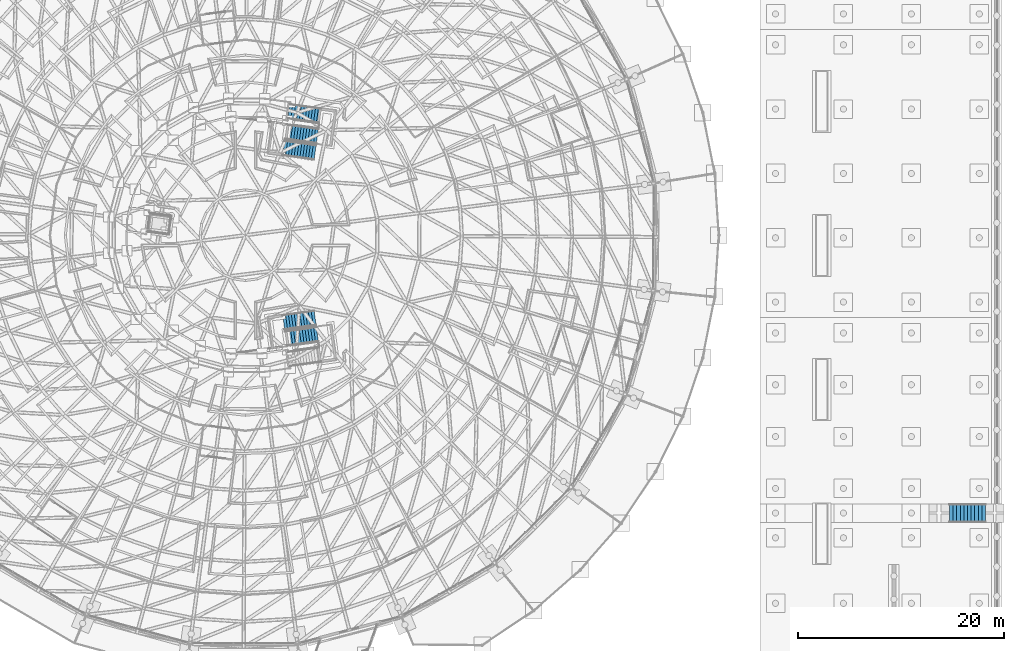
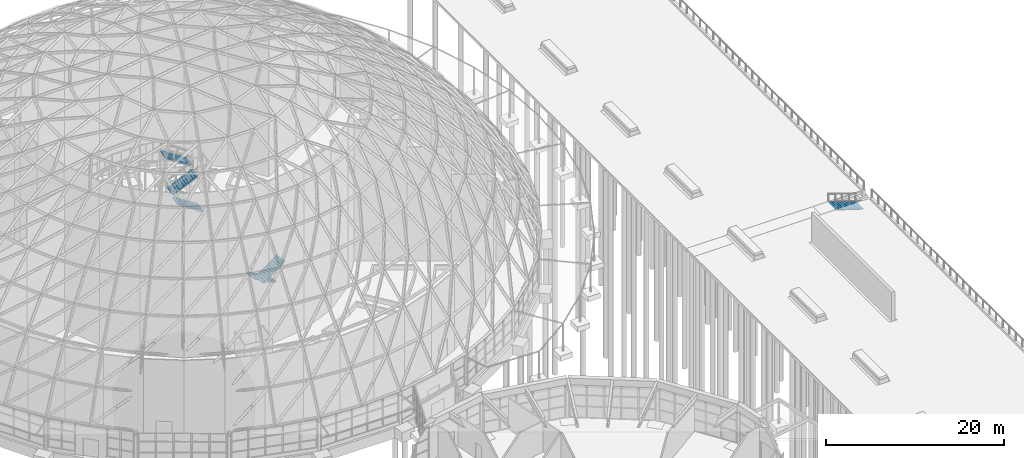
# One storey, part 183 of 226: 6 stair flights, 3 elements without a shape of their own.
"""IFC4 building model written with IfcOpenShell, lengths in metres."""

from ifc_helpers import new_model, si_unit, direction, frame, origin, place, context, subcontext, project, spatial, polyline, outline, extrude, material, type_object, element, aggregate, save


model = new_model("IFC4")

# Units and contexts
model_context = context("Model", 3, precision=1e-05, world=origin(), true_north=direction((0.0, 1.0)))
body_context = subcontext(model_context, "Body", "Model", "MODEL_VIEW")
ifc_project = project(units=[si_unit("LENGTHUNIT", "METRE"), si_unit("AREAUNIT", "SQUARE_METRE"), si_unit("VOLUMEUNIT", "CUBIC_METRE"), si_unit("PLANEANGLEUNIT", "RADIAN"), si_unit("MASSUNIT", "GRAM", prefix="KILO")], contexts=[model_context])

# Site, building, storey
site_placement = place(None, origin())
site = spatial("IfcSite", under=ifc_project, at=site_placement, CompositionType="ELEMENT")
building_placement = place(site_placement, origin())
building = spatial("IfcBuilding", under=site, at=building_placement, Name="Ceibo Conservatory and Research Tower", CompositionType="ELEMENT")
storey_placement = place(building_placement, origin())
storey = spatial("IfcBuildingStorey", under=building, at=storey_placement, Name="L00", CompositionType="ELEMENT", Elevation=0.0)

# Stair, stair flight
ifc_material = material(Name="Concrete C35/45", Category="concrete")
stair_type_1 = type_object("IfcStairType", Name="River steps 1800", PredefinedType="STRAIGHT_RUN_STAIR", material=ifc_material)
stair_1_placement = place(storey_placement, origin())
stair_1 = element("IfcStair", 1, at=stair_1_placement, inside=storey, type_object=stair_type_1, Name="River steps", PredefinedType="STRAIGHT_RUN_STAIR")
stair_flight_type_1 = type_object("IfcStairFlightType", Name="River steps flight 1800", PredefinedType="STRAIGHT", material=ifc_material)
stair_flight_1_placement = place(storey_placement, frame((227.89990234375, 81.0, -1.2099609375), z_axis=(0.0, 0.0, 1.0), x_axis=(-1.0, 0.0, 0.0)))
stair_flight_1 = element("IfcStairFlight", 2, at=stair_flight_1_placement, type_object=stair_flight_type_1, Name="RS1 flight 1", NumberOfRisers=11, NumberOfTreads=10, PredefinedType="STRAIGHT", RiserHeight=0.11, TreadLength=0.35, context=body_context, shape_type="SweptSolid", body=[
    extrude(outline(polyline([(0.0, 0.0), (0.0, 0.110107421875), (0.35009765625, 0.110107421875), (0.35009765625, 0.219970703125), (0.699951171875, 0.219970703125), (0.699951171875, 0.330078125), (1.050048828125, 0.330078125), (1.050048828125, 0.43994140625), (1.39990234375, 0.43994140625), (1.39990234375, 0.550048828125), (1.75, 0.550048828125), (1.75, 0.659912109375), (2.10009765625, 0.659912109375), (2.10009765625, 0.77001953125), (2.449951171875, 0.77001953125), (2.449951171875, 0.8798828125), (2.800048828125, 0.8798828125), (2.800048828125, 0.989990234375), (3.14990234375, 0.989990234375), (3.14990234375, 1.10009765625), (3.5, 1.10009765625), (3.5, 1.2099609375), (3.5, 1.05810546875), (0.133544921875, 0.0), (0.0, 0.0)])), frame((0.0, 0.89990234375, 0.0), z_axis=(0.0, -1.0, 0.0), x_axis=(1.0, 0.0, 0.0)), (0.0, 0.0, 1.0), 1.800048828125),
])
aggregate(stair_1, [stair_flight_1])

# Stair, stair flights
stair_type_2 = type_object("IfcStairType", Name="Walkway stair 1500", PredefinedType="TWO_STRAIGHT_RUN_STAIR", material=ifc_material)
stair_2_placement = place(storey_placement, origin())
stair_2 = element("IfcStair", 3, at=stair_2_placement, inside=storey, type_object=stair_type_2, Name="Walkway stair 1", PredefinedType="TWO_STRAIGHT_RUN_STAIR")
stair_flight_type_2 = type_object("IfcStairFlightType", Name="Walkway stair flight 1500", PredefinedType="STRAIGHT", material=ifc_material)
stair_flight_2_placement = place(storey_placement, frame((162.764404296875, 116.036865234375, 0.0), z_axis=(0.0, 0.0, 1.0), x_axis=(-0.990268068742, 0.13917310096, 0.0)))
stair_flight_2 = element("IfcStairFlight", 4, at=stair_flight_2_placement, type_object=stair_flight_type_2, Name="WK-ST1 flight 1", NumberOfRisers=12, NumberOfTreads=11, PredefinedType="STRAIGHT", RiserHeight=0.166666667, TreadLength=0.28, context=body_context, shape_type="SweptSolid", body=[
    extrude(outline(polyline([(0.0, 0.0), (0.0, 0.166748046875), (0.280029296875, 0.166748046875), (0.280029296875, 0.333251953125), (0.56005859375, 0.333251953125), (0.56005859375, 0.5), (0.840087890625, 0.5), (0.840087890625, 0.666748046875), (1.1201171875, 0.666748046875), (1.1201171875, 0.833251953125), (1.39990234375, 0.833251953125), (1.39990234375, 1.0), (1.679931640625, 1.0), (1.679931640625, 1.166748046875), (1.9599609375, 1.166748046875), (1.9599609375, 1.333251953125), (2.239990234375, 1.333251953125), (2.239990234375, 1.5), (2.52001953125, 1.5), (2.52001953125, 1.666748046875), (2.800048828125, 1.666748046875), (2.800048828125, 1.833251953125), (3.080078125, 1.833251953125), (3.080078125, 2.0), (3.080078125, 1.658935546875), (0.29296875, 0.0), (0.0, 0.0)])), frame((0.0, 0.75, 0.0), z_axis=(0.0, -1.0, 0.0), x_axis=(1.0, 0.0, 0.0)), (0.0, 0.0, 1.0), 1.5),
])
stair_flight_3_placement = place(storey_placement, frame((159.93701171875, 118.0498046875, 2.0), z_axis=(0.0, 0.0, 1.0), x_axis=(0.990268068742, -0.13917310096, 0.0)))
stair_flight_3 = element("IfcStairFlight", 5, at=stair_flight_3_placement, type_object=stair_flight_type_2, Name="WK-ST1 flight 2", NumberOfRisers=12, NumberOfTreads=11, PredefinedType="STRAIGHT", RiserHeight=0.166666667, TreadLength=0.28, context=body_context, shape_type="SweptSolid", body=[
    extrude(outline(polyline([(0.0, 0.0), (0.0, 0.166748046875), (0.280029296875, 0.166748046875), (0.280029296875, 0.333251953125), (0.56005859375, 0.333251953125), (0.56005859375, 0.5), (0.840087890625, 0.5), (0.840087890625, 0.666748046875), (1.1201171875, 0.666748046875), (1.1201171875, 0.833251953125), (1.39990234375, 0.833251953125), (1.39990234375, 1.0), (1.679931640625, 1.0), (1.679931640625, 1.166748046875), (1.9599609375, 1.166748046875), (1.9599609375, 1.333251953125), (2.239990234375, 1.333251953125), (2.239990234375, 1.5), (2.52001953125, 1.5), (2.52001953125, 1.666748046875), (2.800048828125, 1.666748046875), (2.800048828125, 1.833251953125), (3.080078125, 1.833251953125), (3.080078125, 2.0), (3.080078125, 1.658935546875), (0.29296875, 0.0), (0.0, 0.0)])), frame((0.0, 0.75, 0.0), z_axis=(0.0, -1.0, 0.0), x_axis=(1.0, 0.0, 0.0)), (0.0, 0.0, 1.0), 1.5),
])
stair_flight_4_placement = place(storey_placement, frame((163.265380859375, 119.601806640625, 4.0), z_axis=(0.0, 0.0, 1.0), x_axis=(-0.990268068742, 0.13917310096, 0.0)))
stair_flight_4 = element("IfcStairFlight", 6, at=stair_flight_4_placement, type_object=stair_flight_type_2, Name="WK-ST1 flight 3", NumberOfRisers=12, NumberOfTreads=11, PredefinedType="STRAIGHT", RiserHeight=0.166666667, TreadLength=0.28, context=body_context, shape_type="SweptSolid", body=[
    extrude(outline(polyline([(0.0, 0.0), (0.0, 0.166748046875), (0.280029296875, 0.166748046875), (0.280029296875, 0.333251953125), (0.56005859375, 0.333251953125), (0.56005859375, 0.5), (0.840087890625, 0.5), (0.840087890625, 0.666748046875), (1.1201171875, 0.666748046875), (1.1201171875, 0.833251953125), (1.39990234375, 0.833251953125), (1.39990234375, 1.0), (1.679931640625, 1.0), (1.679931640625, 1.166748046875), (1.9599609375, 1.166748046875), (1.9599609375, 1.333251953125), (2.239990234375, 1.333251953125), (2.239990234375, 1.5), (2.52001953125, 1.5), (2.52001953125, 1.666748046875), (2.800048828125, 1.666748046875), (2.800048828125, 1.833251953125), (3.080078125, 1.833251953125), (3.080078125, 2.0), (3.080078125, 1.658935546875), (0.29296875, 0.0), (0.0, 0.0)])), frame((0.0, 0.75, 0.0), z_axis=(0.0, -1.0, 0.0), x_axis=(1.0, 0.0, 0.0)), (0.0, 0.0, 1.0), 1.5),
])
aggregate(stair_2, [stair_flight_2, stair_flight_3, stair_flight_4])

stair_3_placement = place(storey_placement, origin())
stair_3 = element("IfcStair", 7, at=stair_3_placement, inside=storey, type_object=stair_type_2, Name="Walkway stair 2", PredefinedType="TWO_STRAIGHT_RUN_STAIR")
stair_flight_5_placement = place(storey_placement, frame((162.764404296875, 99.963134765625, 0.0), z_axis=(0.0, 0.0, 1.0), x_axis=(-0.990268068742, -0.13917310096, 0.0)))
stair_flight_5 = element("IfcStairFlight", 8, at=stair_flight_5_placement, type_object=stair_flight_type_2, Name="WK-ST2 flight 1", NumberOfRisers=12, NumberOfTreads=11, PredefinedType="STRAIGHT", RiserHeight=0.166666667, TreadLength=0.28, context=body_context, shape_type="SweptSolid", body=[
    extrude(outline(polyline([(0.0, 0.0), (0.0, 0.166748046875), (0.280029296875, 0.166748046875), (0.280029296875, 0.333251953125), (0.56005859375, 0.333251953125), (0.56005859375, 0.5), (0.840087890625, 0.5), (0.840087890625, 0.666748046875), (1.1201171875, 0.666748046875), (1.1201171875, 0.833251953125), (1.39990234375, 0.833251953125), (1.39990234375, 1.0), (1.679931640625, 1.0), (1.679931640625, 1.166748046875), (1.9599609375, 1.166748046875), (1.9599609375, 1.333251953125), (2.239990234375, 1.333251953125), (2.239990234375, 1.5), (2.52001953125, 1.5), (2.52001953125, 1.666748046875), (2.800048828125, 1.666748046875), (2.800048828125, 1.833251953125), (3.080078125, 1.833251953125), (3.080078125, 2.0), (3.080078125, 1.658935546875), (0.29296875, 0.0), (0.0, 0.0)])), frame((0.0, 0.75, 0.0), z_axis=(0.0, -1.0, 0.0), x_axis=(1.0, 0.0, 0.0)), (0.0, 0.0, 1.0), 1.5),
])
stair_flight_6_placement = place(storey_placement, frame((159.93701171875, 97.9501953125, 2.0), z_axis=(0.0, 0.0, 1.0), x_axis=(0.990268068742, 0.13917310096, 0.0)))
stair_flight_6 = element("IfcStairFlight", 9, at=stair_flight_6_placement, type_object=stair_flight_type_2, Name="WK-ST2 flight 2", NumberOfRisers=12, NumberOfTreads=11, PredefinedType="STRAIGHT", RiserHeight=0.166666667, TreadLength=0.28, context=body_context, shape_type="SweptSolid", body=[
    extrude(outline(polyline([(0.0, 0.0), (0.0, 0.166748046875), (0.280029296875, 0.166748046875), (0.280029296875, 0.333251953125), (0.56005859375, 0.333251953125), (0.56005859375, 0.5), (0.840087890625, 0.5), (0.840087890625, 0.666748046875), (1.1201171875, 0.666748046875), (1.1201171875, 0.833251953125), (1.39990234375, 0.833251953125), (1.39990234375, 1.0), (1.679931640625, 1.0), (1.679931640625, 1.166748046875), (1.9599609375, 1.166748046875), (1.9599609375, 1.333251953125), (2.239990234375, 1.333251953125), (2.239990234375, 1.5), (2.52001953125, 1.5), (2.52001953125, 1.666748046875), (2.800048828125, 1.666748046875), (2.800048828125, 1.833251953125), (3.080078125, 1.833251953125), (3.080078125, 2.0), (3.080078125, 1.658935546875), (0.29296875, 0.0), (0.0, 0.0)])), frame((0.0, 0.75, 0.0), z_axis=(0.0, -1.0, 0.0), x_axis=(1.0, 0.0, 0.0)), (0.0, 0.0, 1.0), 1.5),
])
aggregate(stair_3, [stair_flight_5, stair_flight_6])

save(model, "model.ifc")
